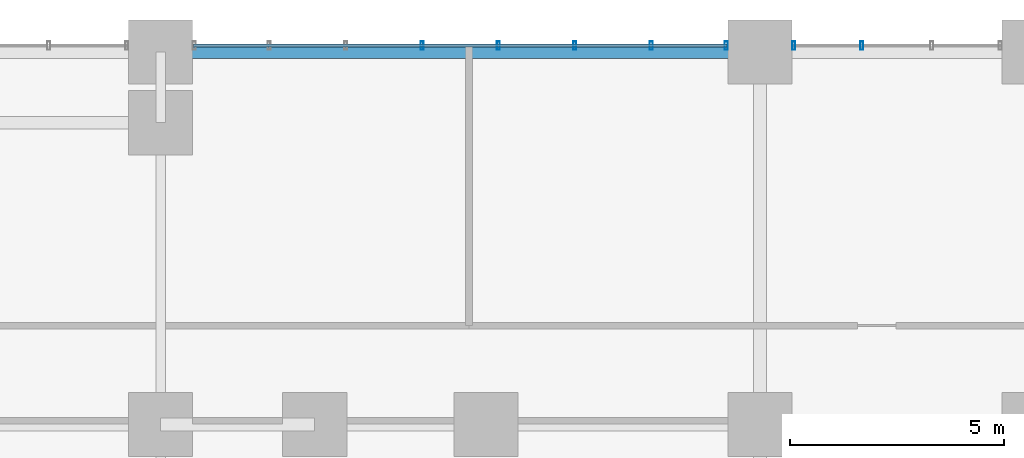
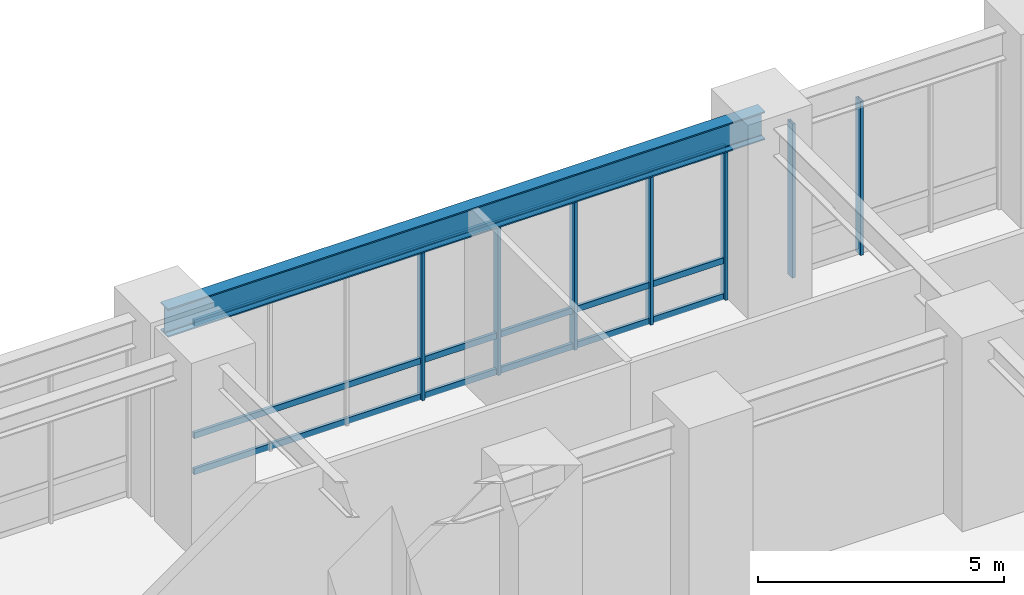
# One storey, part 11 of 22: 10 members, 1 beam, 2 elements without a shape of their own.
"""IFC4 building model written with IfcOpenShell, lengths in metres."""

from ifc_helpers import new_model, si_unit, direction, frame, origin, origin_2d, place, context, subcontext, project, spatial, hollow_rectangle, i_section, extrude, source, transform, mapped, material, layer, layer_set, material_profile, profile_set, type_object, element, aggregate, save


model = new_model("IFC4")

# Units and contexts
model_context = context("Model", 3, precision=1e-05, world=origin(), true_north=direction((0.0, 1.0)))
body_context = subcontext(model_context, "Body", "Model", "MODEL_VIEW")
ifc_project = project(units=[si_unit("LENGTHUNIT", "METRE"), si_unit("AREAUNIT", "SQUARE_METRE"), si_unit("VOLUMEUNIT", "CUBIC_METRE"), si_unit("PLANEANGLEUNIT", "RADIAN"), si_unit("MASSUNIT", "GRAM", prefix="KILO")], contexts=[model_context])

# Site, building, storey
site_placement = place(None, origin())
site = spatial("IfcSite", under=ifc_project, at=site_placement, CompositionType="ELEMENT")
building_placement = place(site_placement, origin())
building = spatial("IfcBuilding", under=site, at=building_placement, Name="Kaliganga Portal Commons", CompositionType="ELEMENT")
storey_placement = place(building_placement, frame((0.0, 0.0, 5.39990234375)))
storey = spatial("IfcBuildingStorey", under=building, at=storey_placement, Name="L01", CompositionType="ELEMENT", Elevation=5.39990234375)

# Beam
ifc_material_1 = material(Name="Structural steel S355J2", Category="steel")
ifc_material_profile_1 = material_profile(ifc_material_1, i_section(OverallWidth=0.300048828125, OverallDepth=0.699951171875, WebThickness=0.01708984375, FlangeThickness=0.031982421875, FilletRadius=0.027099609375, at=origin_2d()), Name="HE 700 B")
ifc_profile_set_1 = profile_set([ifc_material_profile_1], Name="Structural steel S355J2 wide-flange")
beam_type = type_object("IfcBeamType", Name="BM-GIRD-700", PredefinedType="USERDEFINED", material=ifc_profile_set_1)
shared_shape_1 = source(origin(), body_context, "Body", "SweptSolid", [
    extrude(i_section(OverallWidth=0.300048828125, OverallDepth=0.699951171875, WebThickness=0.01708984375, FlangeThickness=0.031982421875, FilletRadius=0.027099609375, at=origin_2d()), origin(), (0.0, 0.0, 1.0), 14.0),
])
beam_placement = place(storey_placement, frame((46.800048828125, 44.85009765625, 4.170166015625), z_axis=(1.0, 0.0, 0.0), x_axis=(0.0, 1.0, 0.0)))
element("IfcBeam", 1, at=beam_placement, inside=storey, type_object=beam_type, Name="BM PODP L01 N44 5", ObjectType="GIRDER", PredefinedType="USERDEFINED", context=body_context, shape_type="MappedRepresentation", body=[
    mapped(shared_shape_1, transform((0.0, 0.0, 0.0), x_axis=(1.0, 0.0, 0.0), y_axis=(0.0, 1.0, 0.0), z_axis=(0.0, 0.0, 1.0), scale=1.0)),
])

# Curtain wall, members
ifc_material_2 = material(Name="Anodized Aluminium and Laminated Low-E Glass", Category="aluminium")
ifc_layer = layer(ifc_material_2, 0.219970703125)
ifc_layer_set = layer_set([ifc_layer], Name="Anodized Aluminium and Laminated Low-E Glass")
curtain_wall_type = type_object("IfcCurtainWallType", Name="CW-SYS-01", PredefinedType="NOTDEFINED", material=ifc_layer_set)
curtain_wall_1_placement = place(storey_placement, origin())
curtain_wall_1 = element("IfcCurtainWall", 2, at=curtain_wall_1_placement, inside=storey, type_object=curtain_wall_type, Name="CW 01 L01 P1E02S3", PredefinedType="NOTDEFINED")
ifc_material_3 = material(Name="Dark Bronze Anodized Aluminium", Category="aluminium")
ifc_material_profile_2 = material_profile(ifc_material_3, hollow_rectangle(XDim=0.070068359375, YDim=0.14990234375, WallThickness=0.00341796875, at=origin_2d()), Name="ALU TRAN 70x150x3.5")
ifc_profile_set_2 = profile_set([ifc_material_profile_2], Name="Dark Bronze Anodized Aluminium")
member_type_1 = type_object("IfcMemberType", Name="CW-TRN-150", PredefinedType="USERDEFINED", material=ifc_profile_set_2)
shared_shape_2 = source(origin(), body_context, "Body", "SweptSolid", [
    extrude(hollow_rectangle(XDim=0.070068359375, YDim=0.14990234375, WallThickness=0.00341796875, at=origin_2d()), origin(), (0.0, 0.0, 1.0), 12.4580078125),
])
member_1_placement = place(storey_placement, frame((60.029052734375, 45.0, 0.06005859375), z_axis=(-1.0, 0.0, 0.0), x_axis=(0.0, -1.0, 0.0)))
member_1 = element("IfcMember", 3, at=member_1_placement, type_object=member_type_1, Name="CW:01:L01:P1E02S3 Transom 1", ObjectType="TRANSOM", PredefinedType="USERDEFINED", context=body_context, shape_type="MappedRepresentation", body=[
    mapped(shared_shape_2, transform((0.0, 0.0, 0.0), x_axis=(1.0, 0.0, 0.0), y_axis=(0.0, 1.0, 0.0), z_axis=(0.0, 0.0, 1.0), scale=1.0)),
])
member_2_placement = place(storey_placement, frame((60.029052734375, 45.0, 0.9501953125), z_axis=(-1.0, 0.0, 0.0), x_axis=(0.0, -1.0, 0.0)))
member_2 = element("IfcMember", 4, at=member_2_placement, type_object=member_type_1, Name="CW:01:L01:P1E02S3 Transom 2", ObjectType="TRANSOM", PredefinedType="USERDEFINED", context=body_context, shape_type="MappedRepresentation", body=[
    mapped(shared_shape_2, transform((0.0, 0.0, 0.0), x_axis=(1.0, 0.0, 0.0), y_axis=(0.0, 1.0, 0.0), z_axis=(0.0, 0.0, 1.0), scale=1.0)),
])
member_3_placement = place(storey_placement, frame((60.029052734375, 45.0, 3.739990234375), z_axis=(-1.0, 0.0, 0.0), x_axis=(0.0, -1.0, 0.0)))
member_3 = element("IfcMember", 5, at=member_3_placement, type_object=member_type_1, Name="CW:01:L01:P1E02S3 Transom 3", ObjectType="TRANSOM", PredefinedType="USERDEFINED", context=body_context, shape_type="MappedRepresentation", body=[
    mapped(shared_shape_2, transform((0.0, 0.0, 0.0), x_axis=(1.0, 0.0, 0.0), y_axis=(0.0, 1.0, 0.0), z_axis=(0.0, 0.0, 1.0), scale=1.0)),
])

curtain_wall_2_placement = place(storey_placement, origin())
curtain_wall_2 = element("IfcCurtainWall", 6, at=curtain_wall_2_placement, inside=storey, type_object=curtain_wall_type, Name="CW 01 L01 P1E02S2", PredefinedType="NOTDEFINED")
ifc_material_profile_3 = material_profile(ifc_material_3, hollow_rectangle(XDim=0.070068359375, YDim=0.199951171875, WallThickness=0.00390625, at=origin_2d()), Name="ALU MULL 70x200x4")
ifc_profile_set_3 = profile_set([ifc_material_profile_3], Name="Dark Bronze Anodized Aluminium")
member_type_2 = type_object("IfcMemberType", Name="CW-MUL-220", PredefinedType="MULLION", material=ifc_profile_set_3)
shared_shape_3 = source(origin(), body_context, "Body", "SweptSolid", [
    extrude(hollow_rectangle(XDim=0.070068359375, YDim=0.199951171875, WallThickness=0.00390625, at=origin_2d()), origin(), (0.0, 0.0, 1.0), 3.820068359375),
])
member_4_placement = place(storey_placement, frame((63.18359375, 45.0, 0.0), z_axis=(0.0, 0.0, 1.0), x_axis=(-1.0, 0.0, 0.0)))
member_4 = element("IfcMember", 7, at=member_4_placement, type_object=member_type_2, Name="CW:01:L01:P1E02S2 Mullion 02", PredefinedType="MULLION", context=body_context, shape_type="MappedRepresentation", body=[
    mapped(shared_shape_3, transform((0.0, 0.0, 0.0), x_axis=(1.0, 0.0, 0.0), y_axis=(0.0, 1.0, 0.0), z_axis=(0.0, 0.0, 1.0), scale=1.0)),
])
member_5_placement = place(storey_placement, frame((61.5859375, 45.0, 0.0), z_axis=(0.0, 0.0, 1.0), x_axis=(-1.0, 0.0, 0.0)))
member_5 = element("IfcMember", 8, at=member_5_placement, type_object=member_type_2, Name="CW:01:L01:P1E02S2 Mullion 03", PredefinedType="MULLION", context=body_context, shape_type="MappedRepresentation", body=[
    mapped(shared_shape_3, transform((0.0, 0.0, 0.0), x_axis=(1.0, 0.0, 0.0), y_axis=(0.0, 1.0, 0.0), z_axis=(0.0, 0.0, 1.0), scale=1.0)),
])
aggregate(curtain_wall_2, [member_4, member_5])

# Member
member_6_placement = place(storey_placement, frame((60.013916015625, 45.0, 0.0), z_axis=(0.0, 0.0, 1.0), x_axis=(-1.0, 0.0, 0.0)))
member_6 = element("IfcMember", 9, at=member_6_placement, type_object=member_type_2, Name="CW:01:L01:P1E02S3 Mullion 00", PredefinedType="MULLION", context=body_context, shape_type="MappedRepresentation", body=[
    mapped(shared_shape_3, transform((0.0, 0.0, 0.0), x_axis=(1.0, 0.0, 0.0), y_axis=(0.0, 1.0, 0.0), z_axis=(0.0, 0.0, 1.0), scale=1.0)),
])

member_7_placement = place(storey_placement, frame((58.263671875, 45.0, 0.0), z_axis=(0.0, 0.0, 1.0), x_axis=(-1.0, 0.0, 0.0)))
member_7 = element("IfcMember", 10, at=member_7_placement, type_object=member_type_2, Name="CW:01:L01:P1E02S3 Mullion 01", PredefinedType="MULLION", context=body_context, shape_type="MappedRepresentation", body=[
    mapped(shared_shape_3, transform((0.0, 0.0, 0.0), x_axis=(1.0, 0.0, 0.0), y_axis=(0.0, 1.0, 0.0), z_axis=(0.0, 0.0, 1.0), scale=1.0)),
])

member_8_placement = place(storey_placement, frame((56.47802734375, 45.0, 0.0), z_axis=(0.0, 0.0, 1.0), x_axis=(-1.0, 0.0, 0.0)))
member_8 = element("IfcMember", 11, at=member_8_placement, type_object=member_type_2, Name="CW:01:L01:P1E02S3 Mullion 02", PredefinedType="MULLION", context=body_context, shape_type="MappedRepresentation", body=[
    mapped(shared_shape_3, transform((0.0, 0.0, 0.0), x_axis=(1.0, 0.0, 0.0), y_axis=(0.0, 1.0, 0.0), z_axis=(0.0, 0.0, 1.0), scale=1.0)),
])

member_9_placement = place(storey_placement, frame((54.692626953125, 45.0, 0.0), z_axis=(0.0, 0.0, 1.0), x_axis=(-1.0, 0.0, 0.0)))
member_9 = element("IfcMember", 12, at=member_9_placement, type_object=member_type_2, Name="CW:01:L01:P1E02S3 Mullion 03", PredefinedType="MULLION", context=body_context, shape_type="MappedRepresentation", body=[
    mapped(shared_shape_3, transform((0.0, 0.0, 0.0), x_axis=(1.0, 0.0, 0.0), y_axis=(0.0, 1.0, 0.0), z_axis=(0.0, 0.0, 1.0), scale=1.0)),
])

member_10_placement = place(storey_placement, frame((52.9072265625, 45.0, 0.0), z_axis=(0.0, 0.0, 1.0), x_axis=(-1.0, 0.0, 0.0)))
member_10 = element("IfcMember", 13, at=member_10_placement, type_object=member_type_2, Name="CW:01:L01:P1E02S3 Mullion 04", PredefinedType="MULLION", context=body_context, shape_type="MappedRepresentation", body=[
    mapped(shared_shape_3, transform((0.0, 0.0, 0.0), x_axis=(1.0, 0.0, 0.0), y_axis=(0.0, 1.0, 0.0), z_axis=(0.0, 0.0, 1.0), scale=1.0)),
])

aggregate(curtain_wall_1, [member_6, member_7, member_8, member_9, member_10, member_1, member_2, member_3])

save(model, "model.ifc")
